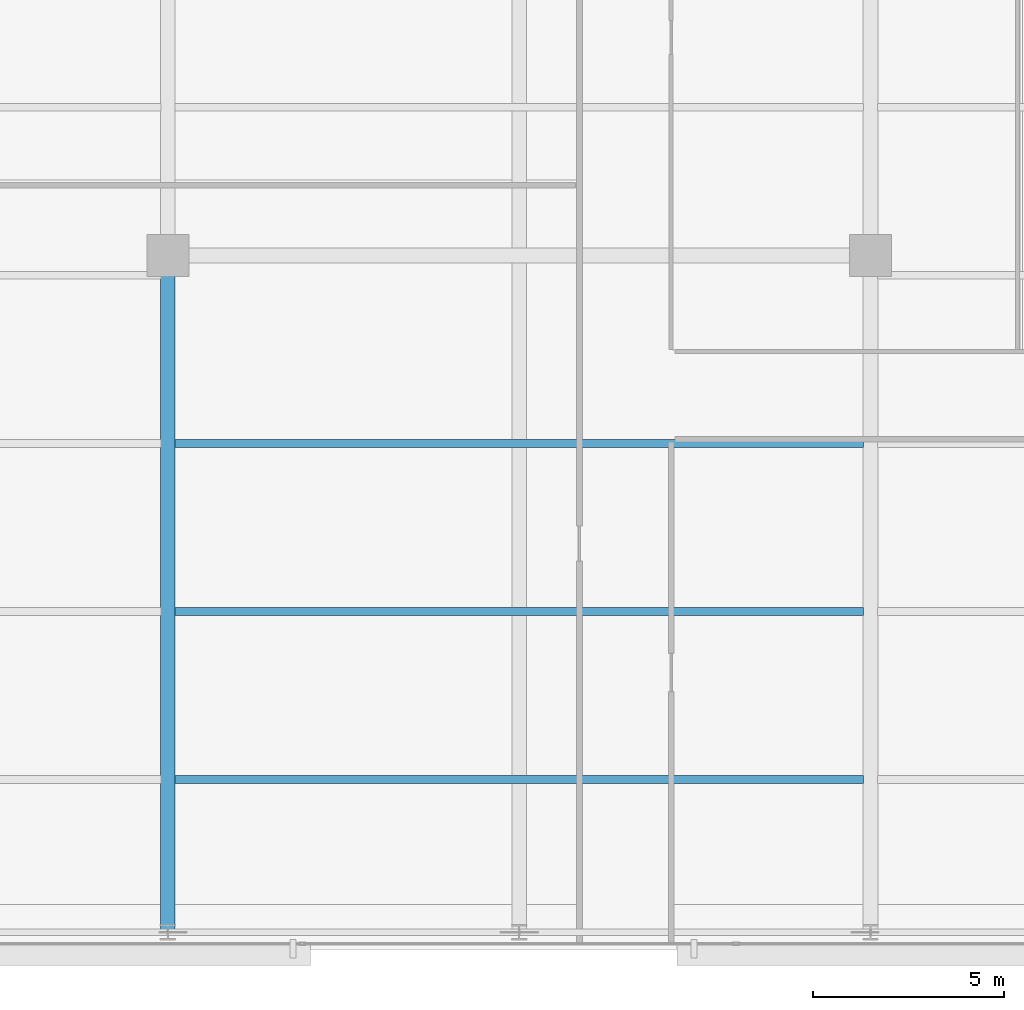
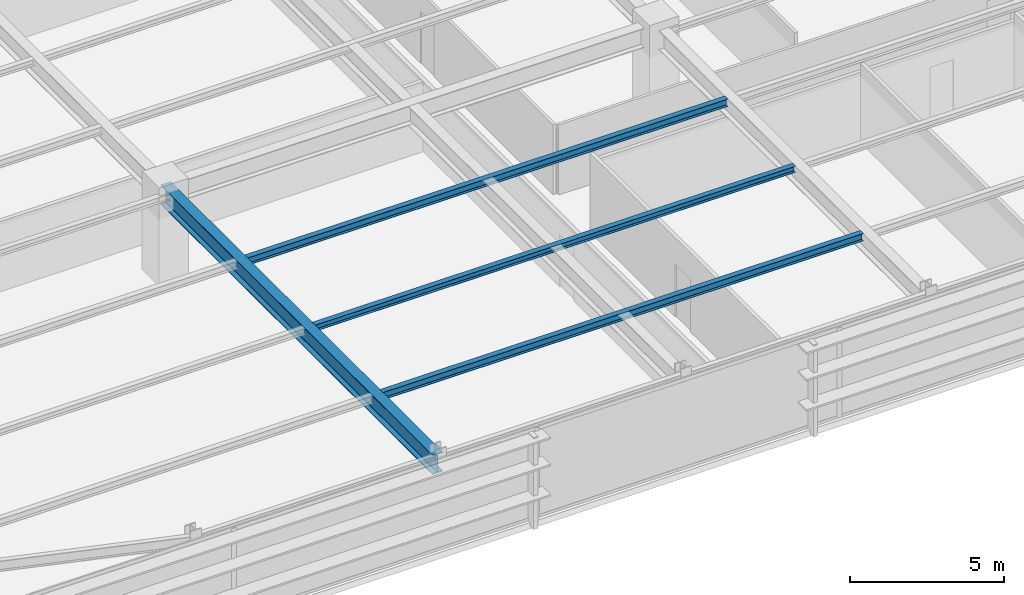
# One storey, part 7 of 32: 4 beams.
"""IFC4 building model written with IfcOpenShell, lengths in metres."""

from ifc_helpers import new_model, si_unit, direction, frame, origin, origin_2d, place, context, subcontext, project, spatial, i_section, extrude, source, transform, mapped, material, material_profile, profile_set, type_object, type_shapes, element, save


model = new_model("IFC4")

# Units and contexts
model_context = context("Model", 3, precision=1e-05, world=origin(), true_north=direction((0.0, 1.0)))
body_context = subcontext(model_context, "Body", "Model", "MODEL_VIEW")
ifc_project = project(units=[si_unit("LENGTHUNIT", "METRE"), si_unit("AREAUNIT", "SQUARE_METRE"), si_unit("VOLUMEUNIT", "CUBIC_METRE"), si_unit("PLANEANGLEUNIT", "RADIAN"), si_unit("MASSUNIT", "GRAM", prefix="KILO")], contexts=[model_context])

# Site, building, storey
site_placement = place(None, origin())
site = spatial("IfcSite", under=ifc_project, at=site_placement, CompositionType="ELEMENT")
building_placement = place(site_placement, origin())
building = spatial("IfcBuilding", under=site, at=building_placement, Name="Varnel Quay Broadcast Tower", CompositionType="ELEMENT")
storey_placement = place(building_placement, frame((0.0, 0.0, 78.300048828125)))
storey = spatial("IfcBuildingStorey", under=building, at=storey_placement, Name="L18", CompositionType="ELEMENT", Elevation=78.300048828125)

# Beams
ifc_material = material(Name="Structural Steel CSA G40.21 350W", Category="steel")
ifc_material_profile_1 = material_profile(ifc_material, i_section(OverallWidth=0.381103515625, OverallDepth=0.77294921875, WebThickness=0.0166015625, FlangeThickness=0.027587890625, FilletRadius=0.01806640625, at=origin_2d()), Name="W760X257")
ifc_profile_set_1 = profile_set([ifc_material_profile_1], Name="Structural Steel CSA G40.21 350W")
beam_type_1 = type_object("IfcBeamType", Name="Girder_W760X257", PredefinedType="BEAM", material=ifc_profile_set_1)
shared_shape_1 = source(origin(), body_context, "Body", "SweptSolid", [
    extrude(i_section(OverallWidth=0.381103515625, OverallDepth=0.77294921875, WebThickness=0.0166015625, FlangeThickness=0.027587890625, FilletRadius=0.01806640625, at=origin_2d()), origin(), (0.0, 0.0, 1.0), 17.68017578125),
])
type_shapes(beam_type_1, [shared_shape_1])
beam_1_placement = place(storey_placement, frame((24.800048828125, 1.669921875, 3.193359375), z_axis=(0.0, 1.0, 0.0), x_axis=(-1.0, 0.0, 0.0)))
element("IfcBeam", 1, at=beam_1_placement, inside=storey, type_object=beam_type_1, Name="L18 Primary Girder TC-S2-IC-01", PredefinedType="BEAM", context=body_context, shape_type="MappedRepresentation", body=[
    mapped(shared_shape_1, transform((0.0, 0.0, 0.0), x_axis=(1.0, 0.0, 0.0), y_axis=(0.0, 1.0, 0.0), z_axis=(0.0, 0.0, 1.0), scale=1.0)),
])
ifc_material_profile_2 = material_profile(ifc_material, i_section(OverallWidth=0.202880859375, OverallDepth=0.302978515625, WebThickness=0.007568359375, FlangeThickness=0.01318359375, FilletRadius=0.011962890625, at=origin_2d()), Name="W310X60")
ifc_profile_set_2 = profile_set([ifc_material_profile_2], Name="Structural Steel CSA G40.21 350W")
beam_type_2 = type_object("IfcBeamType", Name="Beam_W310X60", PredefinedType="JOIST", material=ifc_profile_set_2)
shared_shape_2 = source(origin(), body_context, "Body", "SweptSolid", [
    extrude(i_section(OverallWidth=0.202880859375, OverallDepth=0.302978515625, WebThickness=0.007568359375, FlangeThickness=0.01318359375, FilletRadius=0.011962890625, at=origin_2d()), origin(), (0.0, 0.0, 1.0), 18.02880859375),
])
type_shapes(beam_type_2, [shared_shape_2])
for number, where, z_axis, x_axis, name in (
    (2, (24.985595703125, 5.64990234375, 3.428466796875), (1.0, 0.0, 0.0), (0.0, 1.0, 0.0), "L18 Central Floor Joist 1"),
    (3, (24.985595703125, 14.449951171875, 3.428466796875), (1.0, 0.0, 0.0), (0.0, 1.0, 0.0), "L18 Central Floor Joist 3"),
):
    element("IfcBeam", number, at=place(storey_placement, frame(where, z_axis=z_axis, x_axis=x_axis)), inside=storey, type_object=beam_type_2, Name=name, PredefinedType="JOIST", context=body_context, shape_type="MappedRepresentation", body=[
        mapped(shared_shape_2, transform((0.0, 0.0, 0.0), x_axis=(1.0, 0.0, 0.0), y_axis=(0.0, 1.0, 0.0), z_axis=(0.0, 0.0, 1.0), scale=1.0)),
    ])
ifc_material_profile_3 = material_profile(ifc_material, i_section(OverallWidth=0.201904296875, OverallDepth=0.2470703125, WebThickness=0.00732421875, FlangeThickness=0.010986328125, FilletRadius=0.010986328125, at=origin_2d()), Name="W250X49")
ifc_profile_set_3 = profile_set([ifc_material_profile_3], Name="Structural Steel CSA G40.21 350W")
beam_type_3 = type_object("IfcBeamType", Name="Beam_W250X49", PredefinedType="JOIST", material=ifc_profile_set_3)
shared_shape_3 = source(origin(), body_context, "Body", "SweptSolid", [
    extrude(i_section(OverallWidth=0.201904296875, OverallDepth=0.2470703125, WebThickness=0.00732421875, FlangeThickness=0.010986328125, FilletRadius=0.010986328125, at=origin_2d()), origin(), (0.0, 0.0, 1.0), 18.02880859375),
])
type_shapes(beam_type_3, [shared_shape_3])
beam_2_placement = place(storey_placement, frame((24.985595703125, 10.050048828125, 3.45654296875), z_axis=(1.0, 0.0, 0.0), x_axis=(0.0, 1.0, 0.0)))
element("IfcBeam", 4, at=beam_2_placement, inside=storey, type_object=beam_type_3, Name="L18 Central Floor Joist 2", PredefinedType="JOIST", context=body_context, shape_type="MappedRepresentation", body=[
    mapped(shared_shape_3, transform((0.0, 0.0, 0.0), x_axis=(1.0, 0.0, 0.0), y_axis=(0.0, 1.0, 0.0), z_axis=(0.0, 0.0, 1.0), scale=1.0)),
])

save(model, "model.ifc")
